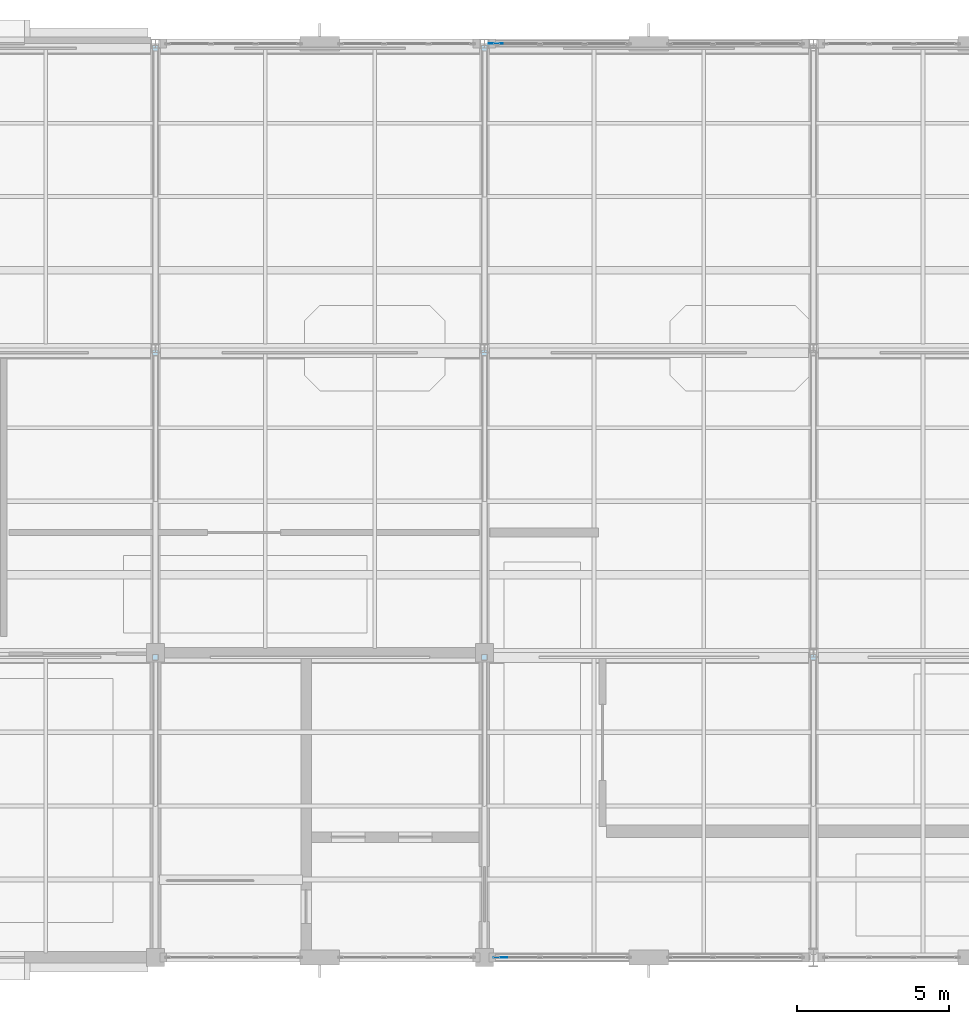
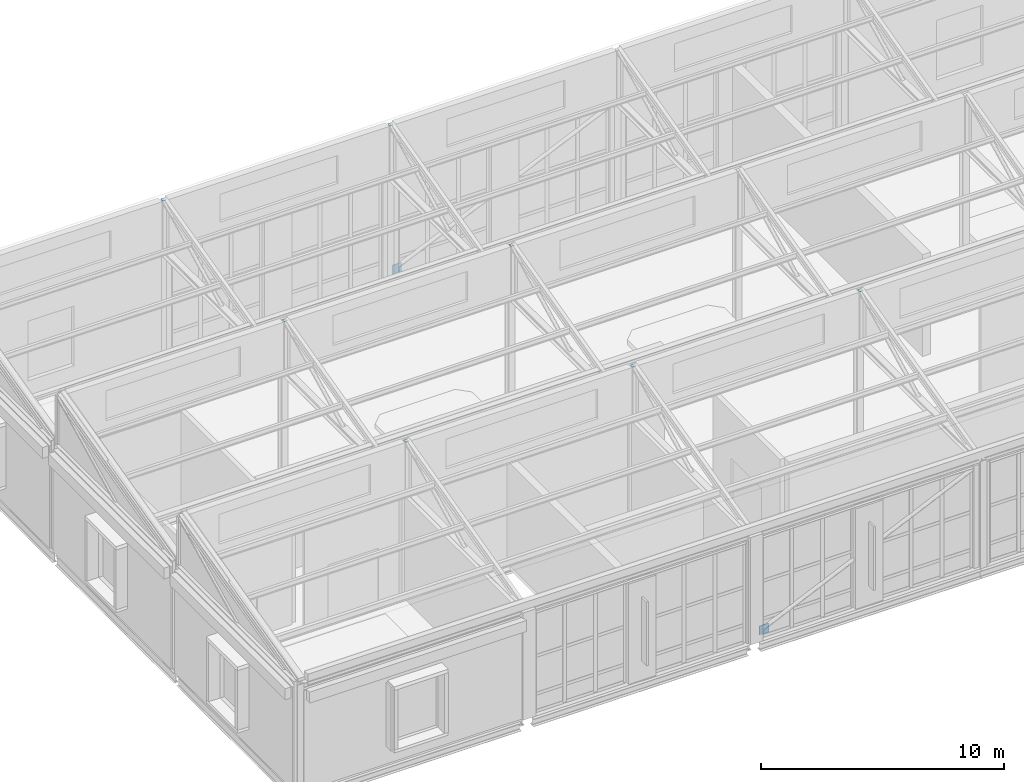
# One storey, part 35 of 49: 9 plates.
"""IFC4 building model written with IfcOpenShell, lengths in metres."""

from ifc_helpers import new_model, si_unit, direction, frame, origin, origin_2d, place, context, subcontext, project, spatial, rectangle, extrude, material, layer, layer_set, type_object, element, save


model = new_model("IFC4")

# Units and contexts
model_context = context("Model", 3, precision=1e-05, world=origin(), true_north=direction((0.0, 1.0)))
body_context = subcontext(model_context, "Body", "Model", "MODEL_VIEW")
ifc_project = project(units=[si_unit("LENGTHUNIT", "METRE"), si_unit("AREAUNIT", "SQUARE_METRE"), si_unit("VOLUMEUNIT", "CUBIC_METRE"), si_unit("PLANEANGLEUNIT", "RADIAN"), si_unit("MASSUNIT", "GRAM", prefix="KILO")], contexts=[model_context])

# Site, building, storey
site_placement = place(None, origin())
site = spatial("IfcSite", under=ifc_project, at=site_placement, CompositionType="ELEMENT")
building_placement = place(site_placement, origin())
building = spatial("IfcBuilding", under=site, at=building_placement, Name="Tasgan Crest Museum", CompositionType="ELEMENT")
storey_placement = place(building_placement, frame((0.0, 0.0, 28.800048828125)))
storey = spatial("IfcBuildingStorey", under=building, at=storey_placement, Name="L05", CompositionType="ELEMENT", Elevation=28.800048828125)

# Plates
ifc_material_1 = material(Name="Steel S355K2", Category="steel")
ifc_layer_1 = layer(ifc_material_1, 0.179931640625, Name="PL-CAP-180x180x10")
ifc_layer_set_1 = layer_set([ifc_layer_1], Name="Steel S355K2")
plate_type_1 = type_object("IfcPlateType", Name="PL-CAP-180x180x10", PredefinedType="USERDEFINED", material=ifc_layer_set_1)
for number, where, z_axis, x_axis, name in (
    (1, (10.800048828125, 91.85009765625, 7.7998046875), (0.0, 0.0, 1.0), (1.0, 0.0, 0.0), "End plate Roof truss north post B1 2 end B"),
    (2, (21.60009765625, 91.85009765625, 7.7998046875), (0.0, 0.0, 1.0), (1.0, 0.0, 0.0), "End plate Roof truss north post B1 3 end B"),
    (3, (32.39990234375, 91.85009765625, 7.7998046875), (0.0, 0.0, 1.0), (1.0, 0.0, 0.0), "End plate Roof truss north post B1 4 end B"),
    (4, (10.800048828125, 101.85009765625, 7.7998046875), (0.0, 0.0, 1.0), (1.0, 0.0, 0.0), "End plate Roof truss north post B2 2 end B"),
    (5, (21.60009765625, 101.85009765625, 7.7998046875), (0.0, 0.0, 1.0), (1.0, 0.0, 0.0), "End plate Roof truss north post B2 3 end B"),
    (6, (10.800048828125, 111.85009765625, 7.7998046875), (0.0, 0.0, 1.0), (1.0, 0.0, 0.0), "End plate Roof truss north post B3 2 end B"),
    (7, (21.60009765625, 111.85009765625, 7.7998046875), (0.0, 0.0, 1.0), (1.0, 0.0, 0.0), "End plate Roof truss north post B3 3 end B"),
):
    element("IfcPlate", number, at=place(storey_placement, frame(where, z_axis=z_axis, x_axis=x_axis)), inside=storey, type_object=plate_type_1, Name=name, ObjectType="END PLATE", PredefinedType="USERDEFINED", context=body_context, shape_type="SweptSolid", body=[
        extrude(rectangle(XDim=0.179931640625, YDim=0.179931640625, at=origin_2d()), origin(), (0.0, 0.0, 1.0), 0.010009765625),
    ])
ifc_material_2 = material(Name="Steel S355K2", Category="steel")
ifc_layer_2 = layer(ifc_material_2, 0.02001953125, Name="PL-GUSSET-450")
ifc_layer_set_2 = layer_set([ifc_layer_2], Name="Steel S355K2")
plate_type_2 = type_object("IfcPlateType", Name="PL-GUSSET-450", PredefinedType="USERDEFINED", material=ifc_layer_set_2)
for number, where, z_axis, x_axis, name in (
    (8, (21.97509765625, 112.0, 0.125), (0.0, 0.0, 1.0), (1.0, 0.0, 0.0), "Diagonal gusset plate L05 M 21.6"),
    (9, (22.125, 82.0, 0.125), (0.0, 0.0, 1.0), (1.0, 0.0, 0.0), "Diagonal gusset plate L05 J 21.6"),
):
    element("IfcPlate", number, at=place(storey_placement, frame(where, z_axis=z_axis, x_axis=x_axis)), inside=storey, type_object=plate_type_2, Name=name, ObjectType="GUSSET PLATE", PredefinedType="USERDEFINED", context=body_context, shape_type="SweptSolid", body=[
        extrude(rectangle(XDim=0.449951171875, YDim=0.02001953125, at=origin_2d()), origin(), (0.0, 0.0, 1.0), 0.449951171875),
    ])

save(model, "model.ifc")
